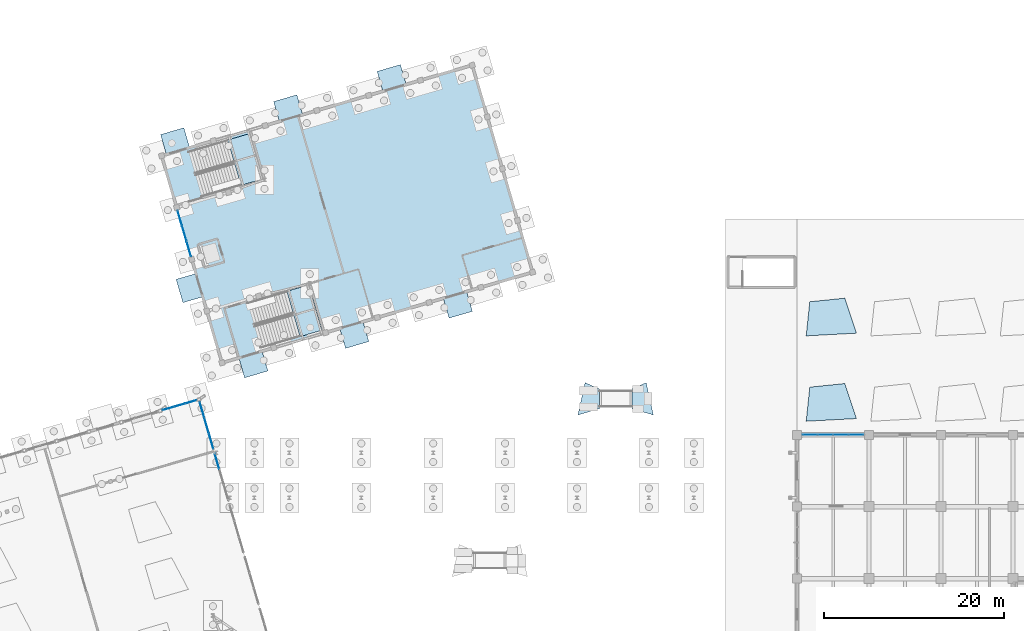
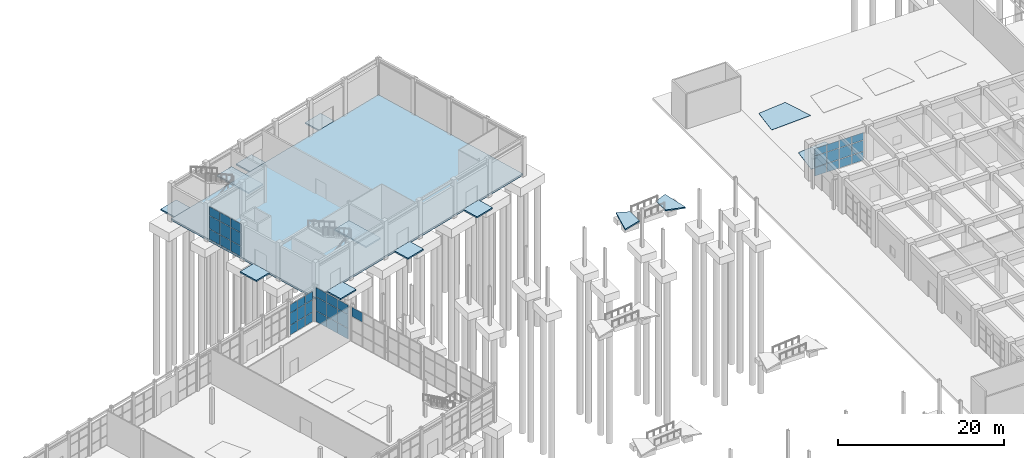
# One storey, part 67 of 90: 40 plates, 14 slabs, 7 elements without a shape of their own.
"""IFC4 building model written with IfcOpenShell, lengths in metres."""

from ifc_helpers import new_model, si_unit, direction, frame, origin, origin_2d, place, context, subcontext, project, spatial, polyline, rectangle, outline, extrude, material, layer, layer_set, type_object, element, aggregate, save


model = new_model("IFC4")

# Units and contexts
model_context = context("Model", 3, precision=1e-05, world=origin(), true_north=direction((0.0, 1.0)))
body_context = subcontext(model_context, "Body", "Model", "MODEL_VIEW")
ifc_project = project(units=[si_unit("LENGTHUNIT", "METRE"), si_unit("AREAUNIT", "SQUARE_METRE"), si_unit("VOLUMEUNIT", "CUBIC_METRE"), si_unit("PLANEANGLEUNIT", "RADIAN"), si_unit("MASSUNIT", "GRAM", prefix="KILO")], contexts=[model_context])

# Site, building, storey
site_placement = place(None, origin())
site = spatial("IfcSite", under=ifc_project, at=site_placement, CompositionType="ELEMENT")
building_placement = place(site_placement, origin())
building = spatial("IfcBuilding", under=site, at=building_placement, Name="Canggui Botanical Conservatory", CompositionType="ELEMENT")
storey_placement = place(building_placement, origin())
storey = spatial("IfcBuildingStorey", under=building, at=storey_placement, Name="L01", CompositionType="ELEMENT", Elevation=0.0)

# Curtain wall, plates
ifc_material_1 = material(Name="Thermally Broken Aluminium", Category="aluminium")
ifc_layer_1 = layer(ifc_material_1, 0.179931640625, Name="Thermally Broken Aluminium", Category="aluminium")
ifc_layer_set_1 = layer_set([ifc_layer_1], Name="Thermally Broken Aluminium")
curtain_wall_type_1 = type_object("IfcCurtainWallType", Name="CW-UNIT-A", PredefinedType="USERDEFINED", material=ifc_layer_set_1)
curtain_wall_1_placement = place(storey_placement, origin())
curtain_wall_1 = element("IfcCurtainWall", 1, at=curtain_wall_1_placement, inside=storey, type_object=curtain_wall_type_1, Name="Facade Curtain Wall CW-TWR-L01-11", ObjectType="UNITISED CURTAIN WALL", PredefinedType="USERDEFINED")
ifc_material_2 = material(Name="Low-E Insulated Glass", Category="glass")
ifc_layer_2 = layer(ifc_material_2, 0.02587890625, Name="Low-E Insulated Glass", Category="glass")
ifc_layer_set_2 = layer_set([ifc_layer_2], Name="Low-E Insulated Glass")
plate_type_1 = type_object("IfcPlateType", Name="CWP-01", PredefinedType="CURTAIN_PANEL", material=ifc_layer_set_2)
plate_1_placement = place(storey_placement, frame((131.4375, 82.0, 0.06494140625), z_axis=(0.0, 0.0, 1.0), x_axis=(1.0, 0.0, 0.0)))
plate_1 = element("IfcPlate", 2, at=plate_1_placement, type_object=plate_type_1, Name="CW-01 panel 1.1", PredefinedType="CURTAIN_PANEL", context=body_context, shape_type="SweptSolid", body=[
    extrude(rectangle(XDim=1.614990234375, YDim=0.02587890625, at=origin_2d()), origin(), (0.0, 0.0, 1.0), 1.239990234375),
])
plate_2_placement = place(storey_placement, frame((131.4375, 82.0, 1.3701171875), z_axis=(0.0, 0.0, 1.0), x_axis=(1.0, 0.0, 0.0)))
plate_2 = element("IfcPlate", 3, at=plate_2_placement, type_object=plate_type_1, Name="CW-01 panel 1.2", PredefinedType="CURTAIN_PANEL", context=body_context, shape_type="SweptSolid", body=[
    extrude(rectangle(XDim=1.614990234375, YDim=0.02587890625, at=origin_2d()), origin(), (0.0, 0.0, 1.0), 1.60693359375),
])
plate_3_placement = place(storey_placement, frame((131.4375, 82.0, 3.0419921875), z_axis=(0.0, 0.0, 1.0), x_axis=(1.0, 0.0, 0.0)))
plate_3 = element("IfcPlate", 4, at=plate_3_placement, type_object=plate_type_1, Name="CW-01 panel 1.3", PredefinedType="CURTAIN_PANEL", context=body_context, shape_type="SweptSolid", body=[
    extrude(rectangle(XDim=1.614990234375, YDim=0.02587890625, at=origin_2d()), origin(), (0.0, 0.0, 1.0), 1.072998046875),
])
plate_4_placement = place(storey_placement, frame((133.139892578125, 82.0, 0.06494140625), z_axis=(0.0, 0.0, 1.0), x_axis=(1.0, 0.0, 0.0)))
plate_4 = element("IfcPlate", 5, at=plate_4_placement, type_object=plate_type_1, Name="CW-01 panel 2.1", PredefinedType="CURTAIN_PANEL", context=body_context, shape_type="SweptSolid", body=[
    extrude(rectangle(XDim=1.64990234375, YDim=0.02587890625, at=origin_2d()), origin(), (0.0, 0.0, 1.0), 1.239990234375),
])
plate_5_placement = place(storey_placement, frame((133.139892578125, 82.0, 1.3701171875), z_axis=(0.0, 0.0, 1.0), x_axis=(1.0, 0.0, 0.0)))
plate_5 = element("IfcPlate", 6, at=plate_5_placement, type_object=plate_type_1, Name="CW-01 panel 2.2", PredefinedType="CURTAIN_PANEL", context=body_context, shape_type="SweptSolid", body=[
    extrude(rectangle(XDim=1.64990234375, YDim=0.02587890625, at=origin_2d()), origin(), (0.0, 0.0, 1.0), 1.60693359375),
])
plate_6_placement = place(storey_placement, frame((133.139892578125, 82.0, 3.0419921875), z_axis=(0.0, 0.0, 1.0), x_axis=(1.0, 0.0, 0.0)))
plate_6 = element("IfcPlate", 7, at=plate_6_placement, type_object=plate_type_1, Name="CW-01 panel 2.3", PredefinedType="CURTAIN_PANEL", context=body_context, shape_type="SweptSolid", body=[
    extrude(rectangle(XDim=1.64990234375, YDim=0.02587890625, at=origin_2d()), origin(), (0.0, 0.0, 1.0), 1.072998046875),
])
plate_7_placement = place(storey_placement, frame((134.860107421875, 82.0, 0.06494140625), z_axis=(0.0, 0.0, 1.0), x_axis=(1.0, 0.0, 0.0)))
plate_7 = element("IfcPlate", 8, at=plate_7_placement, type_object=plate_type_1, Name="CW-01 panel 3.1", PredefinedType="CURTAIN_PANEL", context=body_context, shape_type="SweptSolid", body=[
    extrude(rectangle(XDim=1.64990234375, YDim=0.02587890625, at=origin_2d()), origin(), (0.0, 0.0, 1.0), 1.239990234375),
])
plate_8_placement = place(storey_placement, frame((134.860107421875, 82.0, 1.3701171875), z_axis=(0.0, 0.0, 1.0), x_axis=(1.0, 0.0, 0.0)))
plate_8 = element("IfcPlate", 9, at=plate_8_placement, type_object=plate_type_1, Name="CW-01 panel 3.2", PredefinedType="CURTAIN_PANEL", context=body_context, shape_type="SweptSolid", body=[
    extrude(rectangle(XDim=1.64990234375, YDim=0.02587890625, at=origin_2d()), origin(), (0.0, 0.0, 1.0), 1.60693359375),
])
plate_9_placement = place(storey_placement, frame((134.860107421875, 82.0, 3.0419921875), z_axis=(0.0, 0.0, 1.0), x_axis=(1.0, 0.0, 0.0)))
plate_9 = element("IfcPlate", 10, at=plate_9_placement, type_object=plate_type_1, Name="CW-01 panel 3.3", PredefinedType="CURTAIN_PANEL", context=body_context, shape_type="SweptSolid", body=[
    extrude(rectangle(XDim=1.64990234375, YDim=0.02587890625, at=origin_2d()), origin(), (0.0, 0.0, 1.0), 1.072998046875),
])
plate_10_placement = place(storey_placement, frame((136.5625, 82.0, 0.06494140625), z_axis=(0.0, 0.0, 1.0), x_axis=(1.0, 0.0, 0.0)))
plate_10 = element("IfcPlate", 11, at=plate_10_placement, type_object=plate_type_1, Name="CW-01 panel 4.1", PredefinedType="CURTAIN_PANEL", context=body_context, shape_type="SweptSolid", body=[
    extrude(rectangle(XDim=1.614990234375, YDim=0.02587890625, at=origin_2d()), origin(), (0.0, 0.0, 1.0), 1.239990234375),
])
plate_11_placement = place(storey_placement, frame((136.5625, 82.0, 1.3701171875), z_axis=(0.0, 0.0, 1.0), x_axis=(1.0, 0.0, 0.0)))
plate_11 = element("IfcPlate", 12, at=plate_11_placement, type_object=plate_type_1, Name="CW-01 panel 4.2", PredefinedType="CURTAIN_PANEL", context=body_context, shape_type="SweptSolid", body=[
    extrude(rectangle(XDim=1.614990234375, YDim=0.02587890625, at=origin_2d()), origin(), (0.0, 0.0, 1.0), 1.60693359375),
])
plate_12_placement = place(storey_placement, frame((136.5625, 82.0, 3.0419921875), z_axis=(0.0, 0.0, 1.0), x_axis=(1.0, 0.0, 0.0)))
plate_12 = element("IfcPlate", 13, at=plate_12_placement, type_object=plate_type_1, Name="CW-01 panel 4.3", PredefinedType="CURTAIN_PANEL", context=body_context, shape_type="SweptSolid", body=[
    extrude(rectangle(XDim=1.614990234375, YDim=0.02587890625, at=origin_2d()), origin(), (0.0, 0.0, 1.0), 1.072998046875),
])
aggregate(curtain_wall_1, [plate_1, plate_2, plate_3, plate_4, plate_5, plate_6, plate_7, plate_8, plate_9, plate_10, plate_11, plate_12])

ifc_layer_3 = layer(ifc_material_1, 0.1650390625, Name="Thermally Broken Aluminium", Category="aluminium")
ifc_layer_set_3 = layer_set([ifc_layer_3], Name="Thermally Broken Aluminium")
curtain_wall_type_2 = type_object("IfcCurtainWallType", Name="CW-UNIT-B", PredefinedType="USERDEFINED", material=ifc_layer_set_3)
curtain_wall_2_placement = place(storey_placement, origin())
curtain_wall_2 = element("IfcCurtainWall", 14, at=curtain_wall_2_placement, inside=storey, type_object=curtain_wall_type_2, Name="Facade Curtain Wall CW-AUD-FOYER-2", ObjectType="UNITISED CURTAIN WALL", PredefinedType="USERDEFINED")
ifc_layer_4 = layer(ifc_material_2, 0.030029296875, Name="Low-E Insulated Glass", Category="glass")
ifc_layer_set_4 = layer_set([ifc_layer_4], Name="Low-E Insulated Glass")
plate_type_2 = type_object("IfcPlateType", Name="CWP-02", PredefinedType="CURTAIN_PANEL", material=ifc_layer_set_4)
plate_13_placement = place(storey_placement, frame((62.299560546875, 102.6875, 0.06005859375), z_axis=(0.0, 0.0, 1.0), x_axis=(-0.279999999995, 0.960000000002, 0.0)))
plate_13 = element("IfcPlate", 15, at=plate_13_placement, type_object=plate_type_2, Name="CW-02 panel 1.1", PredefinedType="CURTAIN_PANEL", context=body_context, shape_type="SweptSolid", body=[
    extrude(rectangle(XDim=1.702392578125, YDim=0.030029296875, at=origin_2d()), origin(), (0.0, 0.0, 1.0), 1.47802734375),
])
plate_14_placement = place(storey_placement, frame((62.299560546875, 102.6875, 1.59814453125), z_axis=(0.0, 0.0, 1.0), x_axis=(-0.279999999995, 0.960000000002, 0.0)))
plate_14 = element("IfcPlate", 16, at=plate_14_placement, type_object=plate_type_2, Name="CW-02 panel 1.2", PredefinedType="CURTAIN_PANEL", context=body_context, shape_type="SweptSolid", body=[
    extrude(rectangle(XDim=1.702392578125, YDim=0.030029296875, at=origin_2d()), origin(), (0.0, 0.0, 1.0), 1.89990234375),
])
plate_15_placement = place(storey_placement, frame((62.299560546875, 102.6875, 3.55810546875), z_axis=(0.0, 0.0, 1.0), x_axis=(-0.279999999995, 0.960000000002, 0.0)))
plate_15 = element("IfcPlate", 17, at=plate_15_placement, type_object=plate_type_2, Name="CW-02 panel 1.3", PredefinedType="CURTAIN_PANEL", context=body_context, shape_type="SweptSolid", body=[
    extrude(rectangle(XDim=1.702392578125, YDim=0.030029296875, at=origin_2d()), origin(), (0.0, 0.0, 1.0), 1.281982421875),
])
plate_16_placement = place(storey_placement, frame((61.800048828125, 104.39990234375, 0.06005859375), z_axis=(0.0, 0.0, 1.0), x_axis=(-0.279999999995, 0.960000000002, 0.0)))
plate_16 = element("IfcPlate", 18, at=plate_16_placement, type_object=plate_type_2, Name="CW-02 panel 2.1", PredefinedType="CURTAIN_PANEL", context=body_context, shape_type="SweptSolid", body=[
    extrude(rectangle(XDim=1.735107421875, YDim=0.030029296875, at=origin_2d()), origin(), (0.0, 0.0, 1.0), 1.47802734375),
])
plate_17_placement = place(storey_placement, frame((61.800048828125, 104.39990234375, 1.59814453125), z_axis=(0.0, 0.0, 1.0), x_axis=(-0.279999999995, 0.960000000002, 0.0)))
plate_17 = element("IfcPlate", 19, at=plate_17_placement, type_object=plate_type_2, Name="CW-02 panel 2.2", PredefinedType="CURTAIN_PANEL", context=body_context, shape_type="SweptSolid", body=[
    extrude(rectangle(XDim=1.735107421875, YDim=0.030029296875, at=origin_2d()), origin(), (0.0, 0.0, 1.0), 1.89990234375),
])
plate_18_placement = place(storey_placement, frame((61.800048828125, 104.39990234375, 3.55810546875), z_axis=(0.0, 0.0, 1.0), x_axis=(-0.279999999995, 0.960000000002, 0.0)))
plate_18 = element("IfcPlate", 20, at=plate_18_placement, type_object=plate_type_2, Name="CW-02 panel 2.3", PredefinedType="CURTAIN_PANEL", context=body_context, shape_type="SweptSolid", body=[
    extrude(rectangle(XDim=1.735107421875, YDim=0.030029296875, at=origin_2d()), origin(), (0.0, 0.0, 1.0), 1.281982421875),
])
plate_19_placement = place(storey_placement, frame((61.300537109375, 106.1123046875, 0.06005859375), z_axis=(0.0, 0.0, 1.0), x_axis=(-0.279999999995, 0.960000000002, 0.0)))
plate_19 = element("IfcPlate", 21, at=plate_19_placement, type_object=plate_type_2, Name="CW-02 panel 3.1", PredefinedType="CURTAIN_PANEL", context=body_context, shape_type="SweptSolid", body=[
    extrude(rectangle(XDim=1.702392578125, YDim=0.030029296875, at=origin_2d()), origin(), (0.0, 0.0, 1.0), 1.47802734375),
])
plate_20_placement = place(storey_placement, frame((61.300537109375, 106.1123046875, 1.59814453125), z_axis=(0.0, 0.0, 1.0), x_axis=(-0.279999999995, 0.960000000002, 0.0)))
plate_20 = element("IfcPlate", 22, at=plate_20_placement, type_object=plate_type_2, Name="CW-02 panel 3.2", PredefinedType="CURTAIN_PANEL", context=body_context, shape_type="SweptSolid", body=[
    extrude(rectangle(XDim=1.702392578125, YDim=0.030029296875, at=origin_2d()), origin(), (0.0, 0.0, 1.0), 1.89990234375),
])
plate_21_placement = place(storey_placement, frame((61.300537109375, 106.1123046875, 3.55810546875), z_axis=(0.0, 0.0, 1.0), x_axis=(-0.279999999995, 0.960000000002, 0.0)))
plate_21 = element("IfcPlate", 23, at=plate_21_placement, type_object=plate_type_2, Name="CW-02 panel 3.3", PredefinedType="CURTAIN_PANEL", context=body_context, shape_type="SweptSolid", body=[
    extrude(rectangle(XDim=1.702392578125, YDim=0.030029296875, at=origin_2d()), origin(), (0.0, 0.0, 1.0), 1.281982421875),
])
aggregate(curtain_wall_2, [plate_13, plate_14, plate_15, plate_16, plate_17, plate_18, plate_19, plate_20, plate_21])

# Curtain wall, plate
ifc_layer_5 = layer(ifc_material_1, 0.14990234375, Name="Thermally Broken Aluminium", Category="aluminium")
ifc_layer_set_5 = layer_set([ifc_layer_5], Name="Thermally Broken Aluminium")
curtain_wall_type_3 = type_object("IfcCurtainWallType", Name="CW-UNIT-C", PredefinedType="USERDEFINED", material=ifc_layer_set_5)
curtain_wall_3_placement = place(storey_placement, origin())
curtain_wall_3 = element("IfcCurtainWall", 24, at=curtain_wall_3_placement, inside=storey, type_object=curtain_wall_type_3, Name="Facade Curtain Wall CW-CONS-GABLE-N-04", ObjectType="UNITISED CURTAIN WALL", PredefinedType="USERDEFINED")
ifc_layer_6 = layer(ifc_material_2, 0.033935546875, Name="Low-E Insulated Glass", Category="glass")
ifc_layer_set_6 = layer_set([ifc_layer_6], Name="Low-E Insulated Glass")
plate_type_3 = type_object("IfcPlateType", Name="CWP-03", PredefinedType="CURTAIN_PANEL", material=ifc_layer_set_6)
plate_22_placement = place(storey_placement, frame((65.450927734375, 79.025634765625, 3.69970703125), z_axis=(0.0, 0.0, 1.0), x_axis=(-0.279999999995, 0.960000000002, 0.0)))
plate_22 = element("IfcPlate", 25, at=plate_22_placement, type_object=plate_type_3, Name="CW-03 panel 3.3", PredefinedType="CURTAIN_PANEL", context=body_context, shape_type="SweptSolid", body=[
    extrude(rectangle(XDim=1.743408203125, YDim=0.033935546875, at=origin_2d()), origin(), (0.0, 0.0, 1.0), 1.345458984375),
])
aggregate(curtain_wall_3, [plate_22])

# Curtain wall, plates
curtain_wall_4_placement = place(storey_placement, origin())
curtain_wall_4 = element("IfcCurtainWall", 26, at=curtain_wall_4_placement, inside=storey, type_object=curtain_wall_type_3, Name="Facade Curtain Wall CW-CONS-GABLE-N-05", ObjectType="UNITISED CURTAIN WALL", PredefinedType="USERDEFINED")
plate_23_placement = place(storey_placement, frame((64.7890625, 81.29443359375, 0.05517578125), z_axis=(0.0, 0.0, 1.0), x_axis=(-0.279999999995, 0.960000000002, 0.0)))
plate_23 = element("IfcPlate", 27, at=plate_23_placement, type_object=plate_type_3, Name="CW-03 panel 1.1", PredefinedType="CURTAIN_PANEL", context=body_context, shape_type="SweptSolid", body=[
    extrude(rectangle(XDim=1.743408203125, YDim=0.033935546875, at=origin_2d()), origin(), (0.0, 0.0, 1.0), 1.549560546875),
])
plate_24_placement = place(storey_placement, frame((64.7890625, 81.29443359375, 1.65966796875), z_axis=(0.0, 0.0, 1.0), x_axis=(-0.279999999995, 0.960000000002, 0.0)))
plate_24 = element("IfcPlate", 28, at=plate_24_placement, type_object=plate_type_3, Name="CW-03 panel 1.2", PredefinedType="CURTAIN_PANEL", context=body_context, shape_type="SweptSolid", body=[
    extrude(rectangle(XDim=1.743408203125, YDim=0.033935546875, at=origin_2d()), origin(), (0.0, 0.0, 1.0), 1.985107421875),
])
plate_25_placement = place(storey_placement, frame((64.7890625, 81.29443359375, 3.69970703125), z_axis=(0.0, 0.0, 1.0), x_axis=(-0.279999999995, 0.960000000002, 0.0)))
plate_25 = element("IfcPlate", 29, at=plate_25_placement, type_object=plate_type_3, Name="CW-03 panel 1.3", PredefinedType="CURTAIN_PANEL", context=body_context, shape_type="SweptSolid", body=[
    extrude(rectangle(XDim=1.743408203125, YDim=0.033935546875, at=origin_2d()), origin(), (0.0, 0.0, 1.0), 1.345458984375),
])
plate_26_placement = place(storey_placement, frame((64.280029296875, 83.0400390625, 0.05517578125), z_axis=(0.0, 0.0, 1.0), x_axis=(-0.279999999995, 0.960000000002, 0.0)))
plate_26 = element("IfcPlate", 30, at=plate_26_placement, type_object=plate_type_3, Name="CW-03 panel 2.1", PredefinedType="CURTAIN_PANEL", context=body_context, shape_type="SweptSolid", body=[
    extrude(rectangle(XDim=1.7734375, YDim=0.033935546875, at=origin_2d()), origin(), (0.0, 0.0, 1.0), 1.549560546875),
])
plate_27_placement = place(storey_placement, frame((64.280029296875, 83.0400390625, 1.65966796875), z_axis=(0.0, 0.0, 1.0), x_axis=(-0.279999999995, 0.960000000002, 0.0)))
plate_27 = element("IfcPlate", 31, at=plate_27_placement, type_object=plate_type_3, Name="CW-03 panel 2.2", PredefinedType="CURTAIN_PANEL", context=body_context, shape_type="SweptSolid", body=[
    extrude(rectangle(XDim=1.7734375, YDim=0.033935546875, at=origin_2d()), origin(), (0.0, 0.0, 1.0), 1.985107421875),
])
plate_28_placement = place(storey_placement, frame((64.280029296875, 83.0400390625, 3.69970703125), z_axis=(0.0, 0.0, 1.0), x_axis=(-0.279999999995, 0.960000000002, 0.0)))
plate_28 = element("IfcPlate", 32, at=plate_28_placement, type_object=plate_type_3, Name="CW-03 panel 2.3", PredefinedType="CURTAIN_PANEL", context=body_context, shape_type="SweptSolid", body=[
    extrude(rectangle(XDim=1.7734375, YDim=0.033935546875, at=origin_2d()), origin(), (0.0, 0.0, 1.0), 1.345458984375),
])
plate_29_placement = place(storey_placement, frame((63.770751953125, 84.78564453125, 0.05517578125), z_axis=(0.0, 0.0, 1.0), x_axis=(-0.279999999995, 0.960000000002, 0.0)))
plate_29 = element("IfcPlate", 33, at=plate_29_placement, type_object=plate_type_3, Name="CW-03 panel 3.1", PredefinedType="CURTAIN_PANEL", context=body_context, shape_type="SweptSolid", body=[
    extrude(rectangle(XDim=1.743408203125, YDim=0.033935546875, at=origin_2d()), origin(), (0.0, 0.0, 1.0), 1.549560546875),
])
plate_30_placement = place(storey_placement, frame((63.770751953125, 84.78564453125, 1.65966796875), z_axis=(0.0, 0.0, 1.0), x_axis=(-0.279999999995, 0.960000000002, 0.0)))
plate_30 = element("IfcPlate", 34, at=plate_30_placement, type_object=plate_type_3, Name="CW-03 panel 3.2", PredefinedType="CURTAIN_PANEL", context=body_context, shape_type="SweptSolid", body=[
    extrude(rectangle(XDim=1.743408203125, YDim=0.033935546875, at=origin_2d()), origin(), (0.0, 0.0, 1.0), 1.985107421875),
])
plate_31_placement = place(storey_placement, frame((63.770751953125, 84.78564453125, 3.69970703125), z_axis=(0.0, 0.0, 1.0), x_axis=(-0.279999999995, 0.960000000002, 0.0)))
plate_31 = element("IfcPlate", 35, at=plate_31_placement, type_object=plate_type_3, Name="CW-03 panel 3.3", PredefinedType="CURTAIN_PANEL", context=body_context, shape_type="SweptSolid", body=[
    extrude(rectangle(XDim=1.743408203125, YDim=0.033935546875, at=origin_2d()), origin(), (0.0, 0.0, 1.0), 1.345458984375),
])
aggregate(curtain_wall_4, [plate_23, plate_24, plate_25, plate_26, plate_27, plate_28, plate_29, plate_30, plate_31])

ifc_layer_7 = layer(ifc_material_1, 0.1201171875, Name="Thermally Broken Aluminium", Category="aluminium")
ifc_layer_set_7 = layer_set([ifc_layer_7], Name="Thermally Broken Aluminium")
curtain_wall_type_4 = type_object("IfcCurtainWallType", Name="CW-STICK-B", PredefinedType="USERDEFINED", material=ifc_layer_set_7)
curtain_wall_5_placement = place(storey_placement, origin())
curtain_wall_5 = element("IfcCurtainWall", 36, at=curtain_wall_5_placement, inside=storey, type_object=curtain_wall_type_4, Name="Facade Curtain Wall CW-CONS-L01-V1-14", ObjectType="STICK GLAZED WALL", PredefinedType="USERDEFINED")
ifc_layer_8 = layer(ifc_material_2, 0.0419921875, Name="Low-E Insulated Glass", Category="glass")
ifc_layer_set_8 = layer_set([ifc_layer_8], Name="Low-E Insulated Glass")
plate_type_4 = type_object("IfcPlateType", Name="CWP-05", PredefinedType="CURTAIN_PANEL", material=ifc_layer_set_8)
plate_32_placement = place(storey_placement, frame((60.01318359375, 84.92041015625, 0.044921875), z_axis=(0.0, 0.0, 1.0), x_axis=(0.960000000002, 0.279999999995, 0.0)))
plate_32 = element("IfcPlate", 37, at=plate_32_placement, type_object=plate_type_4, Name="CW-05 panel 1.1", PredefinedType="CURTAIN_PANEL", context=body_context, shape_type="SweptSolid", body=[
    extrude(rectangle(XDim=1.250732421875, YDim=0.0419921875, at=origin_2d()), origin(), (0.0, 0.0, 1.0), 1.37255859375),
])
plate_33_placement = place(storey_placement, frame((60.01318359375, 84.92041015625, 1.462646484375), z_axis=(0.0, 0.0, 1.0), x_axis=(0.960000000002, 0.279999999995, 0.0)))
plate_33 = element("IfcPlate", 38, at=plate_33_placement, type_object=plate_type_4, Name="CW-05 panel 1.2", PredefinedType="CURTAIN_PANEL", context=body_context, shape_type="SweptSolid", body=[
    extrude(rectangle(XDim=1.250732421875, YDim=0.0419921875, at=origin_2d()), origin(), (0.0, 0.0, 1.0), 1.7548828125),
])
plate_34_placement = place(storey_placement, frame((60.01318359375, 84.92041015625, 3.262451171875), z_axis=(0.0, 0.0, 1.0), x_axis=(0.960000000002, 0.279999999995, 0.0)))
plate_34 = element("IfcPlate", 39, at=plate_34_placement, type_object=plate_type_4, Name="CW-05 panel 1.3", PredefinedType="CURTAIN_PANEL", context=body_context, shape_type="SweptSolid", body=[
    extrude(rectangle(XDim=1.250732421875, YDim=0.0419921875, at=origin_2d()), origin(), (0.0, 0.0, 1.0), 1.1923828125),
])
plate_35_placement = place(storey_placement, frame((61.280029296875, 85.2900390625, 0.044921875), z_axis=(0.0, 0.0, 1.0), x_axis=(0.960000000002, 0.279999999995, 0.0)))
plate_35 = element("IfcPlate", 40, at=plate_35_placement, type_object=plate_type_4, Name="CW-05 panel 2.1", PredefinedType="CURTAIN_PANEL", context=body_context, shape_type="SweptSolid", body=[
    extrude(rectangle(XDim=1.2783203125, YDim=0.0419921875, at=origin_2d()), origin(), (0.0, 0.0, 1.0), 1.37255859375),
])
plate_36_placement = place(storey_placement, frame((61.280029296875, 85.2900390625, 1.462646484375), z_axis=(0.0, 0.0, 1.0), x_axis=(0.960000000002, 0.279999999995, 0.0)))
plate_36 = element("IfcPlate", 41, at=plate_36_placement, type_object=plate_type_4, Name="CW-05 panel 2.2", PredefinedType="CURTAIN_PANEL", context=body_context, shape_type="SweptSolid", body=[
    extrude(rectangle(XDim=1.2783203125, YDim=0.0419921875, at=origin_2d()), origin(), (0.0, 0.0, 1.0), 1.7548828125),
])
plate_37_placement = place(storey_placement, frame((61.280029296875, 85.2900390625, 3.262451171875), z_axis=(0.0, 0.0, 1.0), x_axis=(0.960000000002, 0.279999999995, 0.0)))
plate_37 = element("IfcPlate", 42, at=plate_37_placement, type_object=plate_type_4, Name="CW-05 panel 2.3", PredefinedType="CURTAIN_PANEL", context=body_context, shape_type="SweptSolid", body=[
    extrude(rectangle(XDim=1.2783203125, YDim=0.0419921875, at=origin_2d()), origin(), (0.0, 0.0, 1.0), 1.1923828125),
])
plate_38_placement = place(storey_placement, frame((62.546875, 85.659423828125, 0.044921875), z_axis=(0.0, 0.0, 1.0), x_axis=(0.960000000002, 0.279999999995, 0.0)))
plate_38 = element("IfcPlate", 43, at=plate_38_placement, type_object=plate_type_4, Name="CW-05 panel 3.1", PredefinedType="CURTAIN_PANEL", context=body_context, shape_type="SweptSolid", body=[
    extrude(rectangle(XDim=1.250732421875, YDim=0.0419921875, at=origin_2d()), origin(), (0.0, 0.0, 1.0), 1.37255859375),
])
plate_39_placement = place(storey_placement, frame((62.546875, 85.659423828125, 1.462646484375), z_axis=(0.0, 0.0, 1.0), x_axis=(0.960000000002, 0.279999999995, 0.0)))
plate_39 = element("IfcPlate", 44, at=plate_39_placement, type_object=plate_type_4, Name="CW-05 panel 3.2", PredefinedType="CURTAIN_PANEL", context=body_context, shape_type="SweptSolid", body=[
    extrude(rectangle(XDim=1.250732421875, YDim=0.0419921875, at=origin_2d()), origin(), (0.0, 0.0, 1.0), 1.7548828125),
])
plate_40_placement = place(storey_placement, frame((62.546875, 85.659423828125, 3.262451171875), z_axis=(0.0, 0.0, 1.0), x_axis=(0.960000000002, 0.279999999995, 0.0)))
plate_40 = element("IfcPlate", 45, at=plate_40_placement, type_object=plate_type_4, Name="CW-05 panel 3.3", PredefinedType="CURTAIN_PANEL", context=body_context, shape_type="SweptSolid", body=[
    extrude(rectangle(XDim=1.250732421875, YDim=0.0419921875, at=origin_2d()), origin(), (0.0, 0.0, 1.0), 1.1923828125),
])
aggregate(curtain_wall_5, [plate_32, plate_33, plate_34, plate_35, plate_36, plate_37, plate_38, plate_39, plate_40])

# Slab
ifc_material_3 = material(Name="Concrete C35", Category="concrete")
ifc_layer_9 = layer(ifc_material_3, 0.280029296875, Name="Concrete C35", Category="concrete")
ifc_layer_set_9 = layer_set([ifc_layer_9], Name="Concrete C35")
slab_type_1 = type_object("IfcSlabType", Name="SLAB-F280", PredefinedType="FLOOR", material=ifc_layer_set_9)
slab_1_placement = place(storey_placement, frame((0.0, 0.0, -0.280029296875)))
element("IfcSlab", 46, at=slab_1_placement, inside=storey, type_object=slab_type_1, Name="Botanical Auditorium Main Floor and Stage Slab", PredefinedType="FLOOR", context=body_context, shape_type="SweptSolid", body=[
    extrude(outline(polyline([(66.0, 90.0), (100.56005859375, 100.080078125), (93.840087890625, 123.1201171875), (59.280029296875, 113.0400390625), (66.0, 90.0)])), origin(), (0.0, 0.0, 1.0), 0.280029296875),
])

# Stair, slab
stair_type = type_object("IfcStairType", Name="STR-TYPE-7", PredefinedType="HALF_TURN_STAIR", material=ifc_material_3)
stair_1_placement = place(storey_placement, origin())
stair_1 = element("IfcStair", 47, at=stair_1_placement, inside=storey, type_object=stair_type, Name="L01 Auditorium West Balcony Stair ST-A1", PredefinedType="HALF_TURN_STAIR")
ifc_layer_10 = layer(ifc_material_3, 0.199951171875, Name="Concrete C35", Category="concrete")
ifc_layer_set_10 = layer_set([ifc_layer_10], Name="Concrete C35")
slab_type_2 = type_object("IfcSlabType", Name="SLAB-LND-200", PredefinedType="LANDING", material=ifc_layer_set_10)
slab_2_placement = place(storey_placement, frame((0.0, 0.0, 2.5)))
slab_2 = element("IfcSlab", 48, at=slab_2_placement, type_object=slab_type_2, Name="ST-A1 landing 1", PredefinedType="LANDING", context=body_context, shape_type="SweptSolid", body=[
    extrude(outline(polyline([(74.679931640625, 92.9169921875), (77.12841796875, 93.631103515625), (75.655517578125, 98.680908203125), (73.20703125, 97.966552734375), (74.679931640625, 92.9169921875)])), origin(), (0.0, 0.0, 1.0), 0.199951171875),
])
aggregate(stair_1, [slab_2])

stair_2_placement = place(storey_placement, origin())
stair_2 = element("IfcStair", 49, at=stair_2_placement, inside=storey, type_object=stair_type, Name="L01 Auditorium East Balcony Stair ST-A2", PredefinedType="HALF_TURN_STAIR")
slab_3_placement = place(storey_placement, frame((0.0, 0.0, 2.5)))
slab_3 = element("IfcSlab", 50, at=slab_3_placement, type_object=slab_type_2, Name="ST-A2 landing 1", PredefinedType="LANDING", context=body_context, shape_type="SweptSolid", body=[
    extrude(outline(polyline([(68.10400390625, 109.7490234375), (70.552490234375, 110.463134765625), (69.07958984375, 115.5126953125), (66.631103515625, 114.798583984375), (68.10400390625, 109.7490234375)])), origin(), (0.0, 0.0, 1.0), 0.199951171875),
])
aggregate(stair_2, [slab_3])

# Slabs
ifc_layer_11 = layer(ifc_material_3, 0.179931640625, Name="Concrete C35", Category="concrete")
ifc_layer_set_11 = layer_set([ifc_layer_11], Name="Concrete C35")
slab_type_3 = type_object("IfcSlabType", Name="SLAB-PAV-180", PredefinedType="USERDEFINED", material=ifc_layer_set_11)
slab_4_placement = place(storey_placement, origin())
element("IfcSlab", 51, at=slab_4_placement, inside=storey, type_object=slab_type_3, Name="Rail-Yard Courtyard Splayed Promenade Paving 1", ObjectType="PAVING", PredefinedType="USERDEFINED", context=body_context, shape_type="SweptSolid", body=[
    extrude(outline(polyline([(131.0, 83.5), (136.60009765625, 83.800048828125), (135.300048828125, 87.699951171875), (131.39990234375, 87.300048828125), (131.0, 83.5)])), origin(), (0.0, 0.0, 1.0), 0.034912109375),
])
slab_5_placement = place(storey_placement, origin())
element("IfcSlab", 52, at=slab_5_placement, inside=storey, type_object=slab_type_3, Name="Rail-Yard Courtyard Splayed Promenade Paving 5", ObjectType="PAVING", PredefinedType="USERDEFINED", context=body_context, shape_type="SweptSolid", body=[
    extrude(outline(polyline([(131.0, 93.0), (136.60009765625, 93.300048828125), (135.300048828125, 97.199951171875), (131.39990234375, 96.800048828125), (131.0, 93.0)])), origin(), (0.0, 0.0, 1.0), 0.034912109375),
])
slab_6_placement = place(storey_placement, frame((0.0, 0.0, -0.47998046875)))
element("IfcSlab", 53, at=slab_6_placement, inside=storey, type_object=slab_type_3, Name="PR-04 Lower Courtyard Landing Paving", ObjectType="PAVING", PredefinedType="USERDEFINED", context=body_context, shape_type="SweptSolid", body=[
    extrude(outline(polyline([(105.60009765625, 84.199951171875), (108.00048828125, 84.89990234375), (108.00048828125, 87.10009765625), (106.39990234375, 87.800048828125), (105.60009765625, 84.199951171875)])), origin(), (0.0, 0.0, 1.0), 0.179931640625),
])
slab_7_placement = place(storey_placement, frame((0.0, 0.0, -0.179931640625)))
element("IfcSlab", 54, at=slab_7_placement, inside=storey, type_object=slab_type_3, Name="PR-04 Upper Courtyard Landing Paving", ObjectType="PAVING", PredefinedType="USERDEFINED", context=body_context, shape_type="SweptSolid", body=[
    extrude(outline(polyline([(111.599609375, 84.89990234375), (114.0, 84.199951171875), (113.199951171875, 87.800048828125), (111.599609375, 87.10009765625), (111.599609375, 84.89990234375)])), origin(), (0.0, 0.0, 1.0), 0.179931640625),
])
ifc_layer_12 = layer(ifc_material_3, 0.199951171875, Name="Concrete C35", Category="concrete")
ifc_layer_set_12 = layer_set([ifc_layer_12], Name="Concrete C35")
slab_type_4 = type_object("IfcSlabType", Name="SLAB-PAV-200", PredefinedType="USERDEFINED", material=ifc_layer_set_12)
slab_8_placement = place(storey_placement, frame((0.0, 0.0, -0.199951171875)))
element("IfcSlab", 55, at=slab_8_placement, inside=storey, type_object=slab_type_4, Name="Entrance Threshold Paving APRON-AUD-ST-20", ObjectType="PAVING", PredefinedType="USERDEFINED", context=body_context, shape_type="SweptSolid", body=[
    extrude(outline(polyline([(67.86572265625, 90.567138671875), (70.457763671875, 91.322998046875), (71.10791015625, 89.093994140625), (68.51611328125, 88.337890625), (67.86572265625, 90.567138671875)])), origin(), (0.0, 0.0, 1.0), 0.199951171875),
])
slab_9_placement = place(storey_placement, frame((0.0, 0.0, -0.199951171875)))
element("IfcSlab", 56, at=slab_9_placement, inside=storey, type_object=slab_type_4, Name="Entrance Threshold Paving APRON-AUD-21", ObjectType="PAVING", PredefinedType="USERDEFINED", context=body_context, shape_type="SweptSolid", body=[
    extrude(outline(polyline([(79.097900390625, 93.843017578125), (81.689697265625, 94.59912109375), (82.340087890625, 92.3701171875), (79.748046875, 91.614013671875), (79.097900390625, 93.843017578125)])), origin(), (0.0, 0.0, 1.0), 0.199951171875),
])
slab_10_placement = place(storey_placement, frame((0.0, 0.0, -0.199951171875)))
element("IfcSlab", 57, at=slab_10_placement, inside=storey, type_object=slab_type_4, Name="Entrance Threshold Paving APRON-AUD-22", ObjectType="PAVING", PredefinedType="USERDEFINED", context=body_context, shape_type="SweptSolid", body=[
    extrude(outline(polyline([(90.617919921875, 97.203125), (93.209716796875, 97.958984375), (93.860107421875, 95.72998046875), (91.26806640625, 94.97412109375), (90.617919921875, 97.203125)])), origin(), (0.0, 0.0, 1.0), 0.199951171875),
])
slab_11_placement = place(storey_placement, frame((0.0, 0.0, -0.199951171875)))
element("IfcSlab", 58, at=slab_11_placement, inside=storey, type_object=slab_type_4, Name="Entrance Threshold Paving APRON-AUD-ST-23", ObjectType="PAVING", PredefinedType="USERDEFINED", context=body_context, shape_type="SweptSolid", body=[
    extrude(outline(polyline([(62.40625, 113.928955078125), (59.814208984375, 113.1728515625), (59.1640625, 115.402099609375), (61.756103515625, 116.157958984375), (62.40625, 113.928955078125)])), origin(), (0.0, 0.0, 1.0), 0.199951171875),
])
slab_12_placement = place(storey_placement, frame((0.0, 0.0, -0.199951171875)))
element("IfcSlab", 59, at=slab_12_placement, inside=storey, type_object=slab_type_4, Name="Entrance Threshold Paving APRON-AUD-24", ObjectType="PAVING", PredefinedType="USERDEFINED", context=body_context, shape_type="SweptSolid", body=[
    extrude(outline(polyline([(74.982177734375, 117.596923828125), (72.39013671875, 116.8408203125), (71.739990234375, 119.070068359375), (74.33203125, 119.825927734375), (74.982177734375, 117.596923828125)])), origin(), (0.0, 0.0, 1.0), 0.199951171875),
])
slab_13_placement = place(storey_placement, frame((0.0, 0.0, -0.199951171875)))
element("IfcSlab", 60, at=slab_13_placement, inside=storey, type_object=slab_type_4, Name="Entrance Threshold Paving APRON-AUD-25", ObjectType="PAVING", PredefinedType="USERDEFINED", context=body_context, shape_type="SweptSolid", body=[
    extrude(outline(polyline([(86.502197265625, 120.956787109375), (83.91015625, 120.200927734375), (83.260009765625, 122.429931640625), (85.85205078125, 123.18603515625), (86.502197265625, 120.956787109375)])), origin(), (0.0, 0.0, 1.0), 0.199951171875),
])
slab_14_placement = place(storey_placement, frame((0.0, 0.0, -0.199951171875)))
element("IfcSlab", 61, at=slab_14_placement, inside=storey, type_object=slab_type_4, Name="Entrance Threshold Paving APRON-AUD-FOY-26", ObjectType="PAVING", PredefinedType="USERDEFINED", context=body_context, shape_type="SweptSolid", body=[
    extrude(outline(polyline([(63.123046875, 99.942138671875), (63.879150390625, 97.35009765625), (61.64990234375, 96.699951171875), (60.89404296875, 99.2919921875), (63.123046875, 99.942138671875)])), origin(), (0.0, 0.0, 1.0), 0.199951171875),
])

save(model, "model.ifc")
